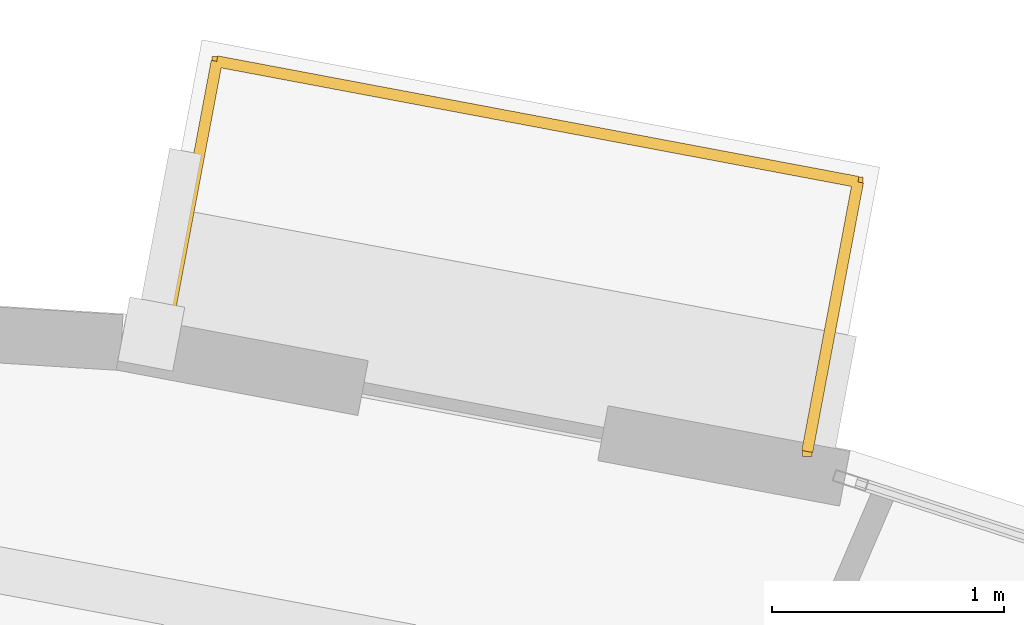
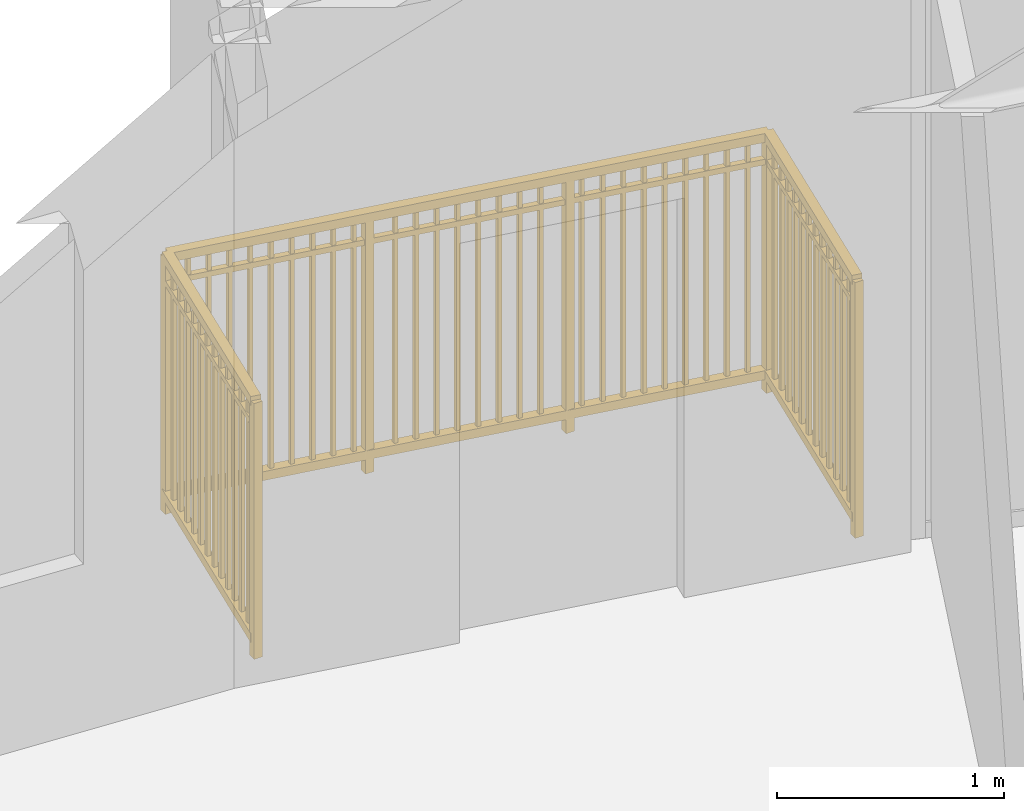
# One storey, part 17 of 17: 1 railing.
"""IFC4 building model written with IfcOpenShell, lengths in metres."""

from ifc_helpers import new_model, si_unit, direction, frame, origin, origin_2d, place, context, subcontext, project, spatial, rectangle, extrude, source, transform, mapped, material, type_object, element, save


model = new_model("IFC4")

# Units and contexts
model_context = context("Model", 3, precision=1e-05, world=origin(), true_north=direction((0.0, 1.0)))
body_context = subcontext(model_context, "Body", "Model", "MODEL_VIEW")
ifc_project = project(units=[si_unit("LENGTHUNIT", "METRE"), si_unit("AREAUNIT", "SQUARE_METRE"), si_unit("VOLUMEUNIT", "CUBIC_METRE"), si_unit("PLANEANGLEUNIT", "RADIAN"), si_unit("MASSUNIT", "GRAM", prefix="KILO")], contexts=[model_context])

# Site, building, storey
site_placement = place(None, origin())
site = spatial("IfcSite", under=ifc_project, at=site_placement, CompositionType="ELEMENT")
building_placement = place(site_placement, origin())
building = spatial("IfcBuilding", under=site, at=building_placement, Name="Linh Dai School and Residence Tower", CompositionType="ELEMENT")
storey_placement = place(building_placement, frame((0.0, 0.0, 327.800048828125)))
storey = spatial("IfcBuildingStorey", under=building, at=storey_placement, Name="L81", CompositionType="ELEMENT", Elevation=327.800048828125)

# Railing
ifc_material = material(Name="Structural Steel S355JR", Category="steel")
railing_type = type_object("IfcRailingType", Name="RL-BAL-1400", PredefinedType="BALUSTRADE", material=ifc_material)
shared_shape = source(origin(), body_context, "Body", "SweptSolid", [
    extrude(rectangle(XDim=0.048095703125, YDim=0.048095703125, at=origin_2d()), frame((0.0, 0.0, 1.3759765625), z_axis=(0.18476321632, 0.982783065531, 0.0), x_axis=(-0.982783065531, 0.18476321632, 0.0)), (0.0, 0.0, 1.0), 1.179931640625),
    extrude(rectangle(XDim=0.048095703125, YDim=0.048095703125, at=origin_2d()), frame((0.0, 0.0, 0.10009765625), z_axis=(0.18476321632, 0.982783065531, 0.0), x_axis=(-0.982783065531, 0.18476321632, 0.0)), (0.0, 0.0, 1.0), 1.179931640625),
    extrude(rectangle(XDim=0.030029296875, YDim=0.030029296875, at=origin_2d()), frame((0.0, 0.0, 1.239990234375), z_axis=(0.18476321632, 0.982783065531, 0.0), x_axis=(-0.982783065531, 0.18476321632, 0.0)), (0.0, 0.0, 1.0), 1.179931640625),
    extrude(rectangle(XDim=0.02001953125, YDim=0.02001953125, at=origin_2d()), frame((0.016845703125, 0.089111328125, 0.10009765625)), (0.0, 0.0, 1.0), 1.251708984375),
    extrude(rectangle(XDim=0.02001953125, YDim=0.02001953125, at=origin_2d()), frame((0.033447265625, 0.178466796875, 0.10009765625)), (0.0, 0.0, 1.0), 1.251708984375),
    extrude(rectangle(XDim=0.02001953125, YDim=0.02001953125, at=origin_2d()), frame((0.05029296875, 0.267578125, 0.10009765625)), (0.0, 0.0, 1.0), 1.251708984375),
    extrude(rectangle(XDim=0.02001953125, YDim=0.02001953125, at=origin_2d()), frame((0.067138671875, 0.35693359375, 0.10009765625)), (0.0, 0.0, 1.0), 1.251708984375),
    extrude(rectangle(XDim=0.02001953125, YDim=0.02001953125, at=origin_2d()), frame((0.083740234375, 0.446044921875, 0.10009765625)), (0.0, 0.0, 1.0), 1.251708984375),
    extrude(rectangle(XDim=0.02001953125, YDim=0.02001953125, at=origin_2d()), frame((0.1005859375, 0.53515625, 0.10009765625)), (0.0, 0.0, 1.0), 1.251708984375),
    extrude(rectangle(XDim=0.02001953125, YDim=0.02001953125, at=origin_2d()), frame((0.117431640625, 0.62451171875, 0.10009765625)), (0.0, 0.0, 1.0), 1.251708984375),
    extrude(rectangle(XDim=0.02001953125, YDim=0.02001953125, at=origin_2d()), frame((0.13427734375, 0.713623046875, 0.10009765625)), (0.0, 0.0, 1.0), 1.251708984375),
    extrude(rectangle(XDim=0.02001953125, YDim=0.02001953125, at=origin_2d()), frame((0.15087890625, 0.802734375, 0.10009765625)), (0.0, 0.0, 1.0), 1.251708984375),
    extrude(rectangle(XDim=0.02001953125, YDim=0.02001953125, at=origin_2d()), frame((0.167724609375, 0.89208984375, 0.10009765625)), (0.0, 0.0, 1.0), 1.251708984375),
    extrude(rectangle(XDim=0.02001953125, YDim=0.02001953125, at=origin_2d()), frame((0.1845703125, 0.981201171875, 0.10009765625)), (0.0, 0.0, 1.0), 1.251708984375),
    extrude(rectangle(XDim=0.02001953125, YDim=0.02001953125, at=origin_2d()), frame((0.201171875, 1.070556640625, 0.10009765625)), (0.0, 0.0, 1.0), 1.251708984375),
    extrude(rectangle(XDim=0.048095703125, YDim=0.048095703125, at=origin_2d()), frame((0.218017578125, 1.15966796875, 1.3759765625), z_axis=(0.982773588797, -0.184813617362, 0.0), x_axis=(0.184813617362, 0.982773588797, 0.0)), (0.0, 0.0, 1.0), 2.80712890625),
    extrude(rectangle(XDim=0.048095703125, YDim=0.048095703125, at=origin_2d()), frame((0.218017578125, 1.15966796875, 0.10009765625), z_axis=(0.982773588797, -0.184813617362, 0.0), x_axis=(0.184813617362, 0.982773588797, 0.0)), (0.0, 0.0, 1.0), 2.80712890625),
    extrude(rectangle(XDim=0.030029296875, YDim=0.030029296875, at=origin_2d()), frame((0.218017578125, 1.15966796875, 1.239990234375), z_axis=(0.982773588797, -0.184813617362, 0.0), x_axis=(0.184813617362, 0.982773588797, 0.0)), (0.0, 0.0, 1.0), 2.80712890625),
    extrude(rectangle(XDim=0.02001953125, YDim=0.02001953125, at=origin_2d()), frame((0.313232421875, 1.141845703125, 0.10009765625)), (0.0, 0.0, 1.0), 1.251708984375),
    extrude(rectangle(XDim=0.02001953125, YDim=0.02001953125, at=origin_2d()), frame((0.408203125, 1.123779296875, 0.10009765625)), (0.0, 0.0, 1.0), 1.251708984375),
    extrude(rectangle(XDim=0.02001953125, YDim=0.02001953125, at=origin_2d()), frame((0.50341796875, 1.10595703125, 0.10009765625)), (0.0, 0.0, 1.0), 1.251708984375),
    extrude(rectangle(XDim=0.02001953125, YDim=0.02001953125, at=origin_2d()), frame((0.5986328125, 1.088134765625, 0.10009765625)), (0.0, 0.0, 1.0), 1.251708984375),
    extrude(rectangle(XDim=0.02001953125, YDim=0.02001953125, at=origin_2d()), frame((0.693603515625, 1.0703125, 0.10009765625)), (0.0, 0.0, 1.0), 1.251708984375),
    extrude(rectangle(XDim=0.02001953125, YDim=0.02001953125, at=origin_2d()), frame((0.788818359375, 1.05224609375, 0.10009765625)), (0.0, 0.0, 1.0), 1.251708984375),
    extrude(rectangle(XDim=0.02001953125, YDim=0.02001953125, at=origin_2d()), frame((0.884033203125, 1.034423828125, 0.10009765625)), (0.0, 0.0, 1.0), 1.251708984375),
    extrude(rectangle(XDim=0.02001953125, YDim=0.02001953125, at=origin_2d()), frame((0.97900390625, 1.0166015625, 0.10009765625)), (0.0, 0.0, 1.0), 1.251708984375),
    extrude(rectangle(XDim=0.02001953125, YDim=0.02001953125, at=origin_2d()), frame((1.07421875, 0.998779296875, 0.10009765625)), (0.0, 0.0, 1.0), 1.251708984375),
    extrude(rectangle(XDim=0.02001953125, YDim=0.02001953125, at=origin_2d()), frame((1.264404296875, 0.962890625, 0.10009765625)), (0.0, 0.0, 1.0), 1.251708984375),
    extrude(rectangle(XDim=0.02001953125, YDim=0.02001953125, at=origin_2d()), frame((1.359619140625, 0.945068359375, 0.10009765625)), (0.0, 0.0, 1.0), 1.251708984375),
    extrude(rectangle(XDim=0.02001953125, YDim=0.02001953125, at=origin_2d()), frame((1.454833984375, 0.927001953125, 0.10009765625)), (0.0, 0.0, 1.0), 1.251708984375),
    extrude(rectangle(XDim=0.02001953125, YDim=0.02001953125, at=origin_2d()), frame((1.5498046875, 0.9091796875, 0.10009765625)), (0.0, 0.0, 1.0), 1.251708984375),
    extrude(rectangle(XDim=0.02001953125, YDim=0.02001953125, at=origin_2d()), frame((1.64501953125, 0.891357421875, 0.10009765625)), (0.0, 0.0, 1.0), 1.251708984375),
    extrude(rectangle(XDim=0.02001953125, YDim=0.02001953125, at=origin_2d()), frame((1.739990234375, 0.87353515625, 0.10009765625)), (0.0, 0.0, 1.0), 1.251708984375),
    extrude(rectangle(XDim=0.02001953125, YDim=0.02001953125, at=origin_2d()), frame((1.835205078125, 0.85546875, 0.10009765625)), (0.0, 0.0, 1.0), 1.251708984375),
    extrude(rectangle(XDim=0.02001953125, YDim=0.02001953125, at=origin_2d()), frame((1.930419921875, 0.837646484375, 0.10009765625)), (0.0, 0.0, 1.0), 1.251708984375),
    extrude(rectangle(XDim=0.02001953125, YDim=0.02001953125, at=origin_2d()), frame((2.12060546875, 0.8017578125, 0.10009765625)), (0.0, 0.0, 1.0), 1.251708984375),
    extrude(rectangle(XDim=0.02001953125, YDim=0.02001953125, at=origin_2d()), frame((2.2158203125, 0.783935546875, 0.10009765625)), (0.0, 0.0, 1.0), 1.251708984375),
    extrude(rectangle(XDim=0.02001953125, YDim=0.02001953125, at=origin_2d()), frame((2.310791015625, 0.76611328125, 0.10009765625)), (0.0, 0.0, 1.0), 1.251708984375),
    extrude(rectangle(XDim=0.02001953125, YDim=0.02001953125, at=origin_2d()), frame((2.406005859375, 0.748291015625, 0.10009765625)), (0.0, 0.0, 1.0), 1.251708984375),
    extrude(rectangle(XDim=0.02001953125, YDim=0.02001953125, at=origin_2d()), frame((2.501220703125, 0.730224609375, 0.10009765625)), (0.0, 0.0, 1.0), 1.251708984375),
    extrude(rectangle(XDim=0.02001953125, YDim=0.02001953125, at=origin_2d()), frame((2.59619140625, 0.71240234375, 0.10009765625)), (0.0, 0.0, 1.0), 1.251708984375),
    extrude(rectangle(XDim=0.02001953125, YDim=0.02001953125, at=origin_2d()), frame((2.69140625, 0.694580078125, 0.10009765625)), (0.0, 0.0, 1.0), 1.251708984375),
    extrude(rectangle(XDim=0.02001953125, YDim=0.02001953125, at=origin_2d()), frame((2.78662109375, 0.6767578125, 0.10009765625)), (0.0, 0.0, 1.0), 1.251708984375),
    extrude(rectangle(XDim=0.02001953125, YDim=0.02001953125, at=origin_2d()), frame((2.881591796875, 0.65869140625, 0.10009765625)), (0.0, 0.0, 1.0), 1.251708984375),
    extrude(rectangle(XDim=0.048095703125, YDim=0.048095703125, at=origin_2d()), frame((2.976806640625, 0.640869140625, 1.3759765625), z_axis=(-0.18476321632, -0.982783065531, 0.0), x_axis=(0.982783065531, -0.18476321632, 0.0)), (0.0, 0.0, 1.0), 1.179931640625),
    extrude(rectangle(XDim=0.048095703125, YDim=0.048095703125, at=origin_2d()), frame((2.976806640625, 0.640869140625, 0.10009765625), z_axis=(-0.18476321632, -0.982783065531, 0.0), x_axis=(0.982783065531, -0.18476321632, 0.0)), (0.0, 0.0, 1.0), 1.179931640625),
    extrude(rectangle(XDim=0.030029296875, YDim=0.030029296875, at=origin_2d()), frame((2.976806640625, 0.640869140625, 1.239990234375), z_axis=(-0.18476321632, -0.982783065531, 0.0), x_axis=(0.982783065531, -0.18476321632, 0.0)), (0.0, 0.0, 1.0), 1.179931640625),
    extrude(rectangle(XDim=0.02001953125, YDim=0.02001953125, at=origin_2d()), frame((2.9599609375, 0.5517578125, 0.10009765625)), (0.0, 0.0, 1.0), 1.251708984375),
    extrude(rectangle(XDim=0.02001953125, YDim=0.02001953125, at=origin_2d()), frame((2.943359375, 0.46240234375, 0.10009765625)), (0.0, 0.0, 1.0), 1.251708984375),
    extrude(rectangle(XDim=0.02001953125, YDim=0.02001953125, at=origin_2d()), frame((2.926513671875, 0.373291015625, 0.10009765625)), (0.0, 0.0, 1.0), 1.251708984375),
    extrude(rectangle(XDim=0.02001953125, YDim=0.02001953125, at=origin_2d()), frame((2.90966796875, 0.283935546875, 0.10009765625)), (0.0, 0.0, 1.0), 1.251708984375),
    extrude(rectangle(XDim=0.02001953125, YDim=0.02001953125, at=origin_2d()), frame((2.89306640625, 0.19482421875, 0.10009765625)), (0.0, 0.0, 1.0), 1.251708984375),
    extrude(rectangle(XDim=0.02001953125, YDim=0.02001953125, at=origin_2d()), frame((2.876220703125, 0.105712890625, 0.10009765625)), (0.0, 0.0, 1.0), 1.251708984375),
    extrude(rectangle(XDim=0.02001953125, YDim=0.02001953125, at=origin_2d()), frame((2.859375, 0.016357421875, 0.10009765625)), (0.0, 0.0, 1.0), 1.251708984375),
    extrude(rectangle(XDim=0.02001953125, YDim=0.02001953125, at=origin_2d()), frame((2.842529296875, -0.07275390625, 0.10009765625)), (0.0, 0.0, 1.0), 1.251708984375),
    extrude(rectangle(XDim=0.02001953125, YDim=0.02001953125, at=origin_2d()), frame((2.825927734375, -0.161865234375, 0.10009765625)), (0.0, 0.0, 1.0), 1.251708984375),
    extrude(rectangle(XDim=0.02001953125, YDim=0.02001953125, at=origin_2d()), frame((2.80908203125, -0.251220703125, 0.10009765625)), (0.0, 0.0, 1.0), 1.251708984375),
    extrude(rectangle(XDim=0.02001953125, YDim=0.02001953125, at=origin_2d()), frame((2.792236328125, -0.34033203125, 0.10009765625)), (0.0, 0.0, 1.0), 1.251708984375),
    extrude(rectangle(XDim=0.02001953125, YDim=0.02001953125, at=origin_2d()), frame((2.775634765625, -0.4296875, 0.10009765625)), (0.0, 0.0, 1.0), 1.251708984375),
    extrude(rectangle(XDim=0.0419921875, YDim=0.0419921875, at=origin_2d()), origin(), (0.0, 0.0, 1.0), 1.3759765625),
    extrude(rectangle(XDim=0.0419921875, YDim=0.0419921875, at=origin_2d()), frame((0.218017578125, 1.15966796875, 0.0)), (0.0, 0.0, 1.0), 1.3759765625),
    extrude(rectangle(XDim=0.0419921875, YDim=0.0419921875, at=origin_2d()), frame((1.1376953125, 0.98681640625, 0.0)), (0.0, 0.0, 1.0), 1.3759765625),
    extrude(rectangle(XDim=0.0419921875, YDim=0.0419921875, at=origin_2d()), frame((2.05712890625, 0.813720703125, 0.0)), (0.0, 0.0, 1.0), 1.3759765625),
    extrude(rectangle(XDim=0.0419921875, YDim=0.0419921875, at=origin_2d()), frame((2.976806640625, 0.640869140625, 0.0)), (0.0, 0.0, 1.0), 1.3759765625),
    extrude(rectangle(XDim=0.0419921875, YDim=0.0419921875, at=origin_2d()), frame((2.7587890625, -0.518798828125, 0.0)), (0.0, 0.0, 1.0), 1.3759765625),
])
railing_placement = place(storey_placement, frame((39.384033203125, 42.78369140625, 0.0)))
element("IfcRailing", 1, at=railing_placement, inside=storey, type_object=railing_type, Name="L81 Balcony Safety Balustrade 09", PredefinedType="BALUSTRADE", context=body_context, shape_type="MappedRepresentation", body=[
    mapped(shared_shape, transform((0.0, 0.0, 0.0), x_axis=(1.0, 0.0, 0.0), y_axis=(0.0, 1.0, 0.0), z_axis=(0.0, 0.0, 1.0), scale=1.0)),
])

save(model, "model.ifc")
